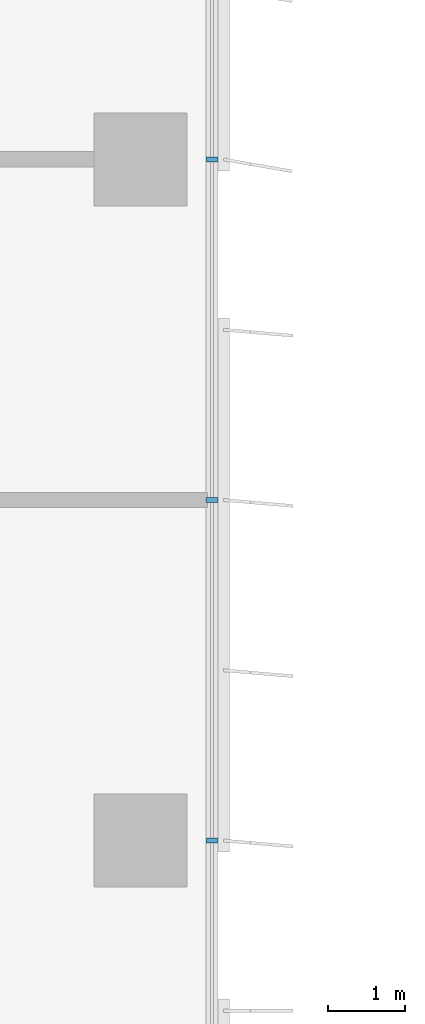
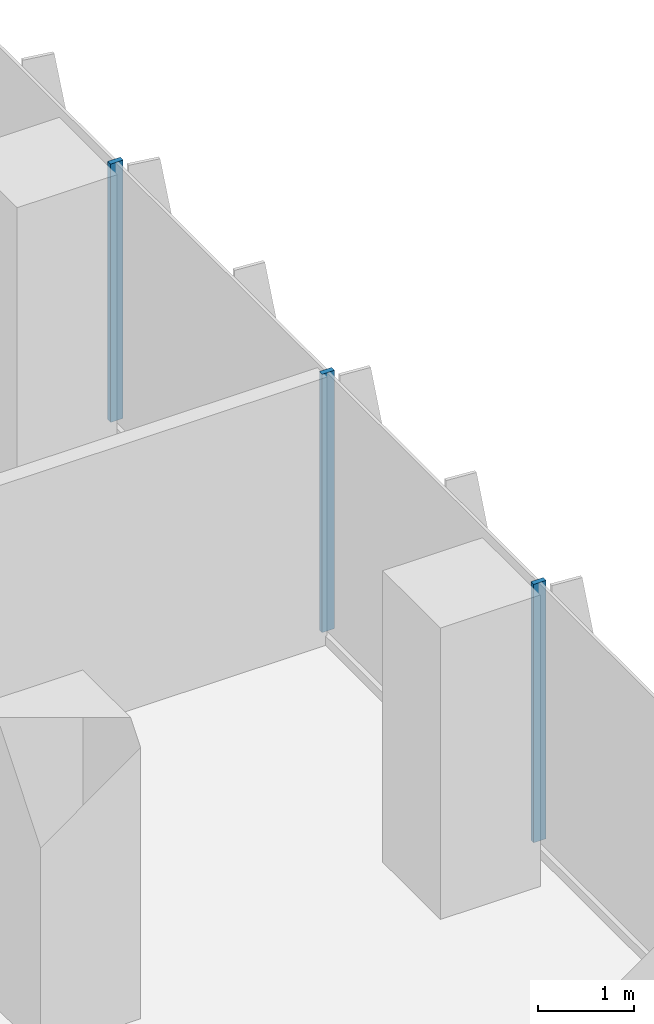
# One storey, part 7 of 22: 3 members, 1 element without a shape of its own.
"""IFC4 building model written with IfcOpenShell, lengths in metres."""

from ifc_helpers import new_model, si_unit, direction, frame, origin, origin_2d, place, context, subcontext, project, spatial, rectangle, extrude, source, transform, mapped, material, material_profile, profile_set, type_object, element, aggregate, save


model = new_model("IFC4")

# Units and contexts
model_context = context("Model", 3, precision=1e-05, world=origin(), true_north=direction((0.0, 1.0)))
body_context = subcontext(model_context, "Body", "Model", "MODEL_VIEW")
ifc_project = project(units=[si_unit("LENGTHUNIT", "METRE"), si_unit("AREAUNIT", "SQUARE_METRE"), si_unit("VOLUMEUNIT", "CUBIC_METRE"), si_unit("PLANEANGLEUNIT", "RADIAN"), si_unit("MASSUNIT", "GRAM", prefix="KILO")], contexts=[model_context])

# Site, building, storey
site_placement = place(None, origin())
site = spatial("IfcSite", under=ifc_project, at=site_placement, CompositionType="ELEMENT")
building_placement = place(site_placement, origin())
building = spatial("IfcBuilding", under=site, at=building_placement, Name="Kemantara Hotel Tower", CompositionType="ELEMENT")
storey_placement = place(building_placement, frame((0.0, 0.0, 111.10009765625)))
storey = spatial("IfcBuildingStorey", under=building, at=storey_placement, Name="L26", CompositionType="ELEMENT", Elevation=111.10009765625)

# Curtain wall, members
ifc_material_1 = material(Name="Low-E tinted double insulated glass 36 mm", Category="glass")
curtain_wall_type = type_object("IfcCurtainWallType", Name="TOWER CURTAIN WALL, FRONT FACES", PredefinedType="USERDEFINED", material=ifc_material_1)
curtain_wall_placement = place(storey_placement, origin())
curtain_wall = element("IfcCurtainWall", 1, at=curtain_wall_placement, inside=storey, type_object=curtain_wall_type, Name="CW4 L26 T2-R14-1", ObjectType="TOWER CURTAIN WALL, FRONT FACES", PredefinedType="USERDEFINED")
ifc_material_2 = material(Name="Aluminium 6063-T6 bronze anodised", Category="aluminium")
ifc_material_profile = material_profile(ifc_material_2, rectangle(XDim=0.14990234375, YDim=0.06005859375, at=origin_2d()), Name="TOWER CURTAIN WALL, FRONT FACES MULLION")
ifc_profile_set = profile_set([ifc_material_profile], Name="Aluminium 6063-T6 bronze anodised")
member_type = type_object("IfcMemberType", Name="TOWER CURTAIN WALL, FRONT FACES MULLION", PredefinedType="MULLION", material=ifc_profile_set)
shared_shape = source(origin(), body_context, "Body", "SweptSolid", [
    extrude(rectangle(XDim=0.14990234375, YDim=0.06005859375, at=origin_2d()), origin(), (0.0, 0.0, 1.0), 3.280029296875),
])
member_1_placement = place(storey_placement, frame((26.72509765625, 53.800048828125, 0.119873046875), z_axis=(0.0, 0.0, 1.0), x_axis=(-1.0, 0.0, 0.0)))
member_1 = element("IfcMember", 2, at=member_1_placement, type_object=member_type, Name="CW4 mullion T2-R14-1.9", PredefinedType="MULLION", context=body_context, shape_type="MappedRepresentation", body=[
    mapped(shared_shape, transform((0.0, 0.0, 0.0))),
])
member_2_placement = place(storey_placement, frame((26.72509765625, 58.199951171875, 0.119873046875), z_axis=(0.0, 0.0, 1.0), x_axis=(-1.0, 0.0, 0.0)))
member_2 = element("IfcMember", 3, at=member_2_placement, type_object=member_type, Name="CW4 mullion T2-R14-1.10", PredefinedType="MULLION", context=body_context, shape_type="MappedRepresentation", body=[
    mapped(shared_shape, transform((0.0, 0.0, 0.0))),
])
member_3_placement = place(storey_placement, frame((26.72509765625, 62.60009765625, 0.119873046875), z_axis=(0.0, 0.0, 1.0), x_axis=(-1.0, 0.0, 0.0)))
member_3 = element("IfcMember", 4, at=member_3_placement, type_object=member_type, Name="CW4 mullion T2-R14-1.11", PredefinedType="MULLION", context=body_context, shape_type="MappedRepresentation", body=[
    mapped(shared_shape, transform((0.0, 0.0, 0.0))),
])
aggregate(curtain_wall, [member_1, member_2, member_3])

save(model, "model.ifc")
